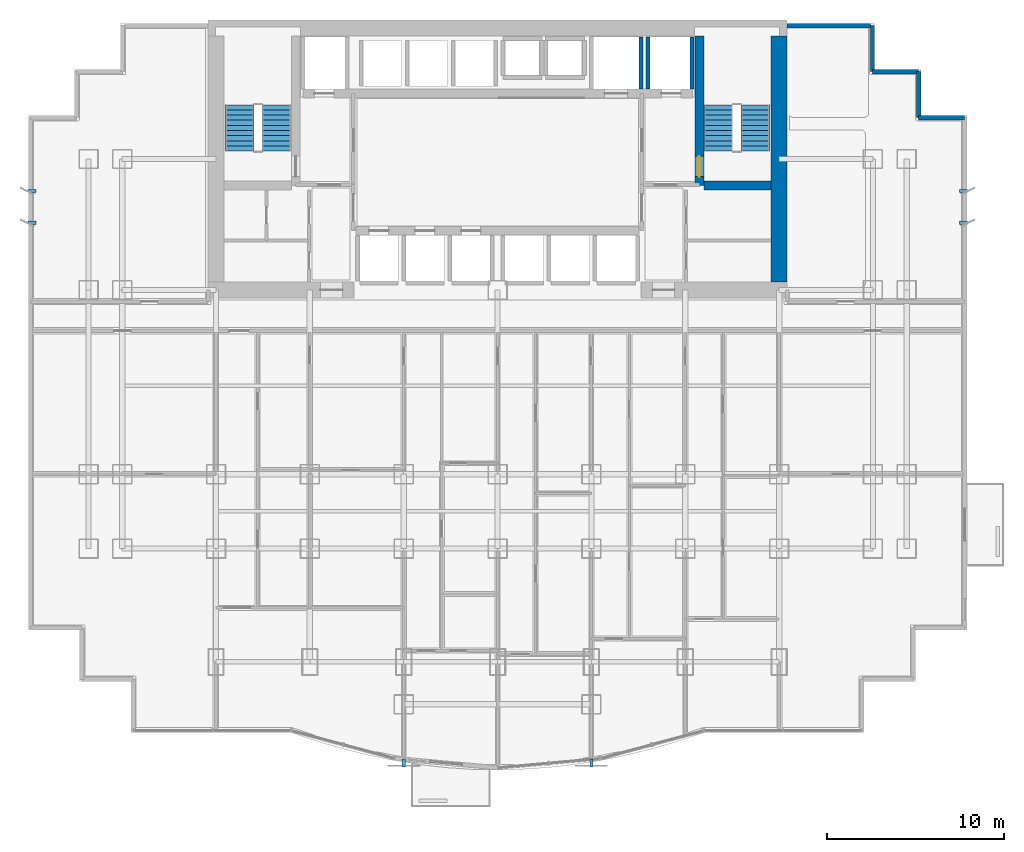
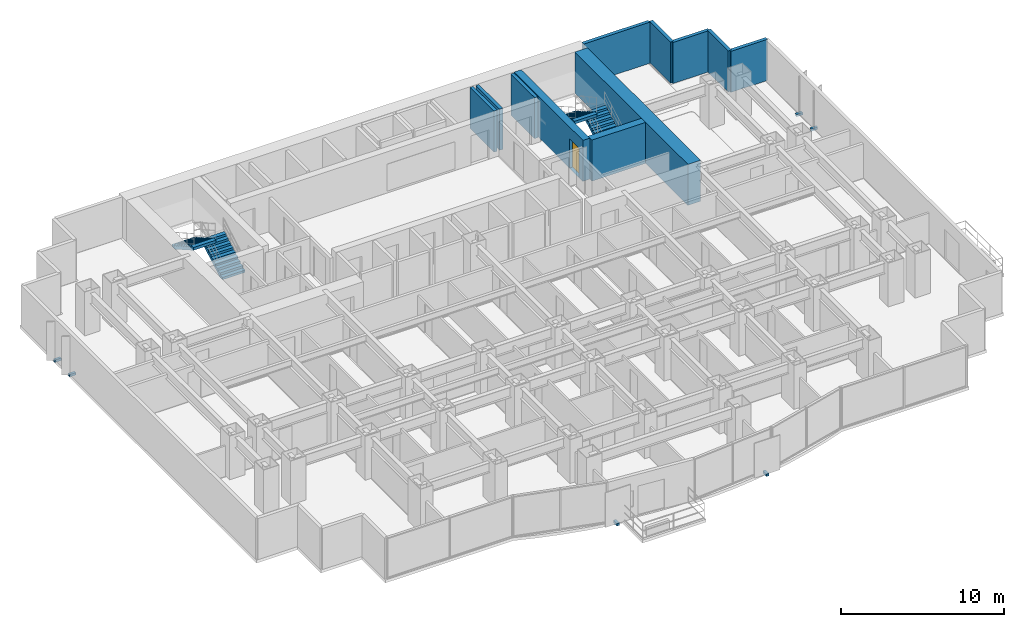
# One storey, part 8 of 10: 11 walls, 6 discrete accessories, 4 stair flights, 1 door, 1 opening, 2 elements without a shape of their own.
"""IFC4 building model written with IfcOpenShell, lengths in metres."""

from ifc_helpers import new_model, si_unit, direction, frame, frame_2d, origin, origin_2d, place, context, subcontext, project, spatial, polyline, rectangle, outline, extrude, source, transform, mapped, material, layer, layer_set, type_object, element, fill, aggregate, save


model = new_model("IFC4")

# Units and contexts
model_context = context("Model", 3, precision=1e-05, world=origin(), true_north=direction((0.0, 1.0)))
body_context = subcontext(model_context, "Body", "Model", "MODEL_VIEW")
ifc_project = project(units=[si_unit("LENGTHUNIT", "METRE"), si_unit("AREAUNIT", "SQUARE_METRE"), si_unit("VOLUMEUNIT", "CUBIC_METRE"), si_unit("PLANEANGLEUNIT", "RADIAN"), si_unit("MASSUNIT", "GRAM", prefix="KILO")], contexts=[model_context])

# Site, building, storey
site_placement = place(None, origin())
site = spatial("IfcSite", under=ifc_project, at=site_placement, CompositionType="ELEMENT")
building_placement = place(site_placement, origin())
building = spatial("IfcBuilding", under=site, at=building_placement, Name="Qianlan Lanfeng Residences", CompositionType="ELEMENT")
storey_placement = place(building_placement, frame((0.0, 0.0, 53.89990234375)))
storey = spatial("IfcBuildingStorey", under=building, at=storey_placement, Name="L14", CompositionType="ELEMENT", Elevation=53.89990234375)

# Wall, opening, door
ifc_material_1 = material(Name="Concrete C70", Category="concrete")
ifc_layer_1 = layer(ifc_material_1, 0.5)
ifc_layer_set_1 = layer_set([ifc_layer_1], Name="Concrete C70")
wall_type_1 = type_object("IfcWallType", Name="CW-RC-500", PredefinedType="SHEAR", material=ifc_layer_set_1)
wall_1_placement = place(storey_placement, frame((37.89990234375, 31.10009765625, 0.0), z_axis=(0.0, 0.0, 1.0), x_axis=(0.0, 1.0, 0.0)))
wall_1 = element("IfcWall", 1, at=wall_1_placement, inside=storey, type_object=wall_type_1, Name="L14 Core Shear Wall ST2W", PredefinedType="SHEAR", context=body_context, shape_type="SweptSolid", body=[
    extrude(rectangle(XDim=8.449951171875, YDim=0.5, at=frame_2d((4.22509765625, 0.0))), origin(), (0.0, 0.0, 1.0), 3.080078125),
])
opening_placement = place(wall_1_placement, frame((0.510009765625, 0.0, 0.0)))
opening = element("IfcOpeningElement", 2, at=opening_placement, cuts=wall_1, Name="Opening L14-D08", PredefinedType="OPENING", context=body_context, shape_type="SweptSolid", body=[
    extrude(rectangle(XDim=1.14990234375, YDim=2.199951171875, at=frame_2d((0.574951171875, 1.10009765625))), frame((0.0, 0.260009765625, 0.0), z_axis=(0.0, -1.0, 0.0), x_axis=(1.0, 0.0, 0.0)), (0.0, 0.0, 1.0), 0.52001953125),
])
ifc_material_2 = material(Name="Painted Galvanised Steel Fire Door", Category="steel")
door_type = type_object("IfcDoorType", Name="DT-ST1", OperationType="NOTDEFINED", PredefinedType="DOOR", material=ifc_material_2)
door_placement = place(opening_placement, origin())
door = element("IfcDoor", 3, at=door_placement, inside=storey, type_object=door_type, Name="L14 Exit Stair ST-2 Door L14-D08 (DT-ST1)", OperationType="SINGLE_SWING_RIGHT", OverallHeight=2.199951171875, OverallWidth=1.14990234375, PredefinedType="DOOR", context=body_context, shape_type="SweptSolid", body=[
    extrude(rectangle(XDim=1.14990234375, YDim=2.199951171875, at=frame_2d((0.574951171875, 1.10009765625))), frame((0.0, 0.02490234375, 0.0), z_axis=(0.0, -1.0, 0.0), x_axis=(1.0, 0.0, 0.0)), (0.0, 0.0, 1.0), 0.050048828125),
])
fill(opening, door)

# Walls
wall_2_placement = place(storey_placement, frame((38.14990234375, 31.10009765625, 0.0), z_axis=(0.0, 0.0, 1.0), x_axis=(1.0, 0.0, 0.0)))
element("IfcWall", 4, at=wall_2_placement, inside=storey, type_object=wall_type_1, Name="L14 Core Shear Wall ST2S", PredefinedType="SHEAR", context=body_context, shape_type="SweptSolid", body=[
    extrude(rectangle(XDim=3.800048828125, YDim=0.5, at=frame_2d((1.89990234375, 0.0))), origin(), (0.0, 0.0, 1.0), 3.080078125),
])
ifc_layer_2 = layer(ifc_material_1, 0.89990234375)
ifc_layer_set_2 = layer_set([ifc_layer_2], Name="Concrete C70")
wall_type_2 = type_object("IfcWallType", Name="CW-RC-900", PredefinedType="SHEAR", material=ifc_layer_set_2)
wall_3_placement = place(storey_placement, frame((42.39990234375, 25.64990234375, 0.0), z_axis=(0.0, 0.0, 1.0), x_axis=(0.0, 1.0, 0.0)))
element("IfcWall", 5, at=wall_3_placement, inside=storey, type_object=wall_type_2, Name="L14 Core Shear Wall E", PredefinedType="SHEAR", context=body_context, shape_type="SweptSolid", body=[
    extrude(rectangle(XDim=13.900146484375, YDim=0.89990234375, at=frame_2d((6.9501953125, 0.0))), origin(), (0.0, 0.0, 1.0), 3.080078125),
])
ifc_material_3 = material(Name="Concrete C42", Category="concrete")
ifc_layer_3 = layer(ifc_material_3, 0.239990234375)
ifc_layer_set_3 = layer_set([ifc_layer_3], Name="Concrete C42")
wall_type_3 = type_object("IfcWallType", Name="EW-240", PredefinedType="SOLIDWALL", material=ifc_layer_set_3)
wall_4_placement = place(storey_placement, frame((52.8798828125, 34.929931640625, 0.0), z_axis=(0.0, 0.0, 1.0), x_axis=(-1.0, 0.0, 0.0)))
element("IfcWall", 6, at=wall_4_placement, inside=storey, type_object=wall_type_3, Name="L14 Exterior Facade Spandrel Wall 11", PredefinedType="SOLIDWALL", context=body_context, shape_type="SweptSolid", body=[
    extrude(rectangle(XDim=2.599853515625, YDim=0.239990234375, at=frame_2d((1.2998046875, 0.0))), origin(), (0.0, 0.0, 1.0), 3.080078125),
])
for number, where, z_axis, x_axis, name in (
    (7, (50.280029296875, 34.929931640625, 0.0), (0.0, 0.0, 1.0), (0.0, 1.0, 0.0), "L14 Exterior Facade Spandrel Wall 12"),
    (8, (50.280029296875, 37.530029296875, 0.0), (0.0, 0.0, 1.0), (-1.0, 0.0, 0.0), "L14 Exterior Facade Spandrel Wall 13"),
):
    element("IfcWall", number, at=place(storey_placement, frame(where, z_axis=z_axis, x_axis=x_axis)), inside=storey, type_object=wall_type_3, Name=name, PredefinedType="SOLIDWALL", context=body_context, shape_type="SweptSolid", body=[
        extrude(rectangle(XDim=2.60009765625, YDim=0.239990234375, at=frame_2d((1.300048828125, 0.0))), origin(), (0.0, 0.0, 1.0), 3.080078125),
    ])
wall_5_placement = place(storey_placement, frame((47.679931640625, 37.530029296875, 0.0), z_axis=(0.0, 0.0, 1.0), x_axis=(0.0, 1.0, 0.0)))
element("IfcWall", 9, at=wall_5_placement, inside=storey, type_object=wall_type_3, Name="L14 Exterior Facade Spandrel Wall 14", PredefinedType="SOLIDWALL", context=body_context, shape_type="SweptSolid", body=[
    extrude(rectangle(XDim=2.599853515625, YDim=0.239990234375, at=frame_2d((1.2998046875, 0.0))), origin(), (0.0, 0.0, 1.0), 3.080078125),
])
wall_6_placement = place(storey_placement, frame((47.550048828125, 40.1298828125, 0.0), z_axis=(0.0, 0.0, 1.0), x_axis=(-1.0, 0.0, 0.0)))
element("IfcWall", 10, at=wall_6_placement, inside=storey, type_object=wall_type_3, Name="L14 North Wing Exterior Wall E", PredefinedType="SOLIDWALL", context=body_context, shape_type="SweptSolid", body=[
    extrude(rectangle(XDim=4.699951171875, YDim=0.239990234375, at=frame_2d((2.35009765625, 0.0))), origin(), (0.0, 0.0, 1.0), 3.080078125),
])
ifc_material_4 = material(Name="Concrete C49", Category="concrete")
ifc_layer_4 = layer(ifc_material_4, 0.219970703125)
ifc_layer_set_4 = layer_set([ifc_layer_4], Name="Concrete C49")
wall_type_4 = type_object("IfcWallType", Name="SHW-220", PredefinedType="SOLIDWALL", material=ifc_layer_set_4)
for number, where, z_axis, x_axis, name in (
    (11, (35.0, 36.550048828125, 0.0), (0.0, 0.0, 1.0), (0.0, 1.0, 0.0), "L14 Lift FFL-2 Shaft Wall W"),
    (12, (37.47998046875, 36.550048828125, 0.0), (0.0, 0.0, 1.0), (0.0, 1.0, 0.0), "L14 Lift FFL-2 Shaft Wall E"),
    (13, (34.60009765625, 36.550048828125, 0.0), (0.0, 0.0, 1.0), (0.0, 1.0, 0.0), "L14 Lift SVL-1 Shaft Wall E"),
):
    element("IfcWall", number, at=place(storey_placement, frame(where, z_axis=z_axis, x_axis=x_axis)), inside=storey, type_object=wall_type_4, Name=name, PredefinedType="SOLIDWALL", context=body_context, shape_type="SweptSolid", body=[
        extrude(rectangle(XDim=2.929931640625, YDim=0.219970703125, at=frame_2d((1.46484375, 0.0))), origin(), (0.0, 0.0, 1.0), 3.080078125),
    ])

# Stair, stair flights
stair_type = type_object("IfcStairType", Name="STR-MAIN", PredefinedType="HALF_TURN_STAIR", material=ifc_material_3)
stair_1_placement = place(storey_placement, origin())
stair_1 = element("IfcStair", 14, at=stair_1_placement, inside=storey, type_object=stair_type, Name="L14 Exit Stair ST-1", PredefinedType="HALF_TURN_STAIR")
stair_flight_type = type_object("IfcStairFlightType", Name="FLT-1720", PredefinedType="STRAIGHT", material=ifc_material_3)
stair_flight_1_placement = place(storey_placement, frame((14.02001953125, 33.050048828125, 0.0), z_axis=(0.0, 0.0, 1.0), x_axis=(0.0, 1.0, 0.0)))
stair_flight_1 = element("IfcStairFlight", 15, at=stair_flight_1_placement, type_object=stair_flight_type, Name="ST-1 flight 1", NumberOfRisers=10, NumberOfTreads=9, PredefinedType="STRAIGHT", RiserHeight=0.165, TreadLength=0.29, context=body_context, shape_type="SweptSolid", body=[
    extrude(outline(polyline([(0.0, 0.0), (0.0, 0.1650390625), (0.2900390625, 0.1650390625), (0.2900390625, 0.330078125), (0.580078125, 0.330078125), (0.580078125, 0.4951171875), (0.8701171875, 0.4951171875), (0.8701171875, 0.659912109375), (1.159912109375, 0.659912109375), (1.159912109375, 0.824951171875), (1.449951171875, 0.824951171875), (1.449951171875, 0.989990234375), (1.739990234375, 0.989990234375), (1.739990234375, 1.155029296875), (2.030029296875, 1.155029296875), (2.030029296875, 1.320068359375), (2.320068359375, 1.320068359375), (2.320068359375, 1.485107421875), (2.610107421875, 1.485107421875), (2.610107421875, 1.64990234375), (2.610107421875, 1.278076171875), (0.36376953125, 0.0), (0.0, 0.0)])), frame((0.0, 0.800048828125, 0.0), z_axis=(0.0, -1.0, 0.0), x_axis=(1.0, 0.0, 0.0)), (0.0, 0.0, 1.0), 1.60009765625),
])
stair_flight_2_placement = place(storey_placement, frame((11.93994140625, 35.659912109375, 1.650146484375), z_axis=(0.0, 0.0, 1.0), x_axis=(0.0, -1.0, 0.0)))
stair_flight_2 = element("IfcStairFlight", 16, at=stair_flight_2_placement, type_object=stair_flight_type, Name="ST-1 flight 2", NumberOfRisers=10, NumberOfTreads=9, PredefinedType="STRAIGHT", RiserHeight=0.165, TreadLength=0.29, context=body_context, shape_type="SweptSolid", body=[
    extrude(outline(polyline([(0.0, 0.0), (0.0, 0.1650390625), (0.2900390625, 0.1650390625), (0.2900390625, 0.330078125), (0.580078125, 0.330078125), (0.580078125, 0.4951171875), (0.8701171875, 0.4951171875), (0.8701171875, 0.659912109375), (1.159912109375, 0.659912109375), (1.159912109375, 0.824951171875), (1.449951171875, 0.824951171875), (1.449951171875, 0.989990234375), (1.739990234375, 0.989990234375), (1.739990234375, 1.155029296875), (2.030029296875, 1.155029296875), (2.030029296875, 1.320068359375), (2.320068359375, 1.320068359375), (2.320068359375, 1.485107421875), (2.610107421875, 1.485107421875), (2.610107421875, 1.64990234375), (2.610107421875, 1.278076171875), (0.36376953125, 0.0), (0.0, 0.0)])), frame((0.0, 0.800048828125, 0.0), z_axis=(0.0, -1.0, 0.0), x_axis=(1.0, 0.0, 0.0)), (0.0, 0.0, 1.0), 1.60009765625),
])
aggregate(stair_1, [stair_flight_1, stair_flight_2])

stair_2_placement = place(storey_placement, origin())
stair_2 = element("IfcStair", 17, at=stair_2_placement, inside=storey, type_object=stair_type, Name="L14 Exit Stair ST-2", PredefinedType="HALF_TURN_STAIR")
stair_flight_3_placement = place(storey_placement, frame((41.06005859375, 33.050048828125, 0.0), z_axis=(0.0, 0.0, 1.0), x_axis=(0.0, 1.0, 0.0)))
stair_flight_3 = element("IfcStairFlight", 18, at=stair_flight_3_placement, type_object=stair_flight_type, Name="ST-2 flight 1", NumberOfRisers=10, NumberOfTreads=9, PredefinedType="STRAIGHT", RiserHeight=0.165, TreadLength=0.29, context=body_context, shape_type="SweptSolid", body=[
    extrude(outline(polyline([(0.0, 0.0), (0.0, 0.1650390625), (0.2900390625, 0.1650390625), (0.2900390625, 0.330078125), (0.580078125, 0.330078125), (0.580078125, 0.4951171875), (0.8701171875, 0.4951171875), (0.8701171875, 0.659912109375), (1.159912109375, 0.659912109375), (1.159912109375, 0.824951171875), (1.449951171875, 0.824951171875), (1.449951171875, 0.989990234375), (1.739990234375, 0.989990234375), (1.739990234375, 1.155029296875), (2.030029296875, 1.155029296875), (2.030029296875, 1.320068359375), (2.320068359375, 1.320068359375), (2.320068359375, 1.485107421875), (2.610107421875, 1.485107421875), (2.610107421875, 1.64990234375), (2.610107421875, 1.278076171875), (0.36376953125, 0.0), (0.0, 0.0)])), frame((0.0, 0.800048828125, 0.0), z_axis=(0.0, -1.0, 0.0), x_axis=(1.0, 0.0, 0.0)), (0.0, 0.0, 1.0), 1.60009765625),
])
stair_flight_4_placement = place(storey_placement, frame((38.97998046875, 35.659912109375, 1.650146484375), z_axis=(0.0, 0.0, 1.0), x_axis=(0.0, -1.0, 0.0)))
stair_flight_4 = element("IfcStairFlight", 19, at=stair_flight_4_placement, type_object=stair_flight_type, Name="ST-2 flight 2", NumberOfRisers=10, NumberOfTreads=9, PredefinedType="STRAIGHT", RiserHeight=0.165, TreadLength=0.29, context=body_context, shape_type="SweptSolid", body=[
    extrude(outline(polyline([(0.0, 0.0), (0.0, 0.1650390625), (0.2900390625, 0.1650390625), (0.2900390625, 0.330078125), (0.580078125, 0.330078125), (0.580078125, 0.4951171875), (0.8701171875, 0.4951171875), (0.8701171875, 0.659912109375), (1.159912109375, 0.659912109375), (1.159912109375, 0.824951171875), (1.449951171875, 0.824951171875), (1.449951171875, 0.989990234375), (1.739990234375, 0.989990234375), (1.739990234375, 1.155029296875), (2.030029296875, 1.155029296875), (2.030029296875, 1.320068359375), (2.320068359375, 1.320068359375), (2.320068359375, 1.485107421875), (2.610107421875, 1.485107421875), (2.610107421875, 1.64990234375), (2.610107421875, 1.278076171875), (0.36376953125, 0.0), (0.0, 0.0)])), frame((0.0, 0.800048828125, 0.0), z_axis=(0.0, -1.0, 0.0), x_axis=(1.0, 0.0, 0.0)), (0.0, 0.0, 1.0), 1.60009765625),
])
aggregate(stair_2, [stair_flight_3, stair_flight_4])

# Discrete accessories
ifc_material_5 = material(Name="Stainless Steel Facade Bracket", Category="steel")
discrete_accessory_type = type_object("IfcDiscreteAccessoryType", Name="BRK-SS-350", PredefinedType="BRACKET", material=ifc_material_5)
shared_shape_1 = source(origin(), body_context, "Body", "SweptSolid", [
    extrude(rectangle(XDim=0.179931640625, YDim=0.449951171875, at=origin_2d()), origin(), (0.0, 0.0, 1.0), 0.179931640625),
])
for number, where, z_axis, x_axis, name in (
    (20, (21.199951171875, -1.5, -0.14990234375), (0.0, 0.0, 1.0), (1.0, 0.0, 0.0), "L14 Solar Screen Support Bracket 1"),
    (21, (31.800048828125, -1.5, -0.14990234375), (0.0, 0.0, 1.0), (1.0, 0.0, 0.0), "L14 Solar Screen Support Bracket 2"),
):
    element("IfcDiscreteAccessory", number, at=place(storey_placement, frame(where, z_axis=z_axis, x_axis=x_axis)), inside=storey, type_object=discrete_accessory_type, Name=name, PredefinedType="BRACKET", context=body_context, shape_type="MappedRepresentation", body=[
        mapped(shared_shape_1, transform((0.0, 0.0, 0.0), scale=1.0)),
    ])
shared_shape_2 = source(origin(), body_context, "Body", "SweptSolid", [
    extrude(rectangle(XDim=0.449951171875, YDim=0.179931640625, at=origin_2d()), origin(), (0.0, 0.0, 1.0), 0.179931640625),
])
for number, where, z_axis, x_axis, name in (
    (22, (0.199951171875, 29.0, -0.14990234375), (0.0, 0.0, 1.0), (1.0, 0.0, 0.0), "L14 Raked Solar Fin Support Bracket W1"),
    (23, (0.199951171875, 30.800048828125, -0.14990234375), (0.0, 0.0, 1.0), (1.0, 0.0, 0.0), "L14 Raked Solar Fin Support Bracket W2"),
    (24, (52.800048828125, 29.0, -0.14990234375), (0.0, 0.0, 1.0), (1.0, 0.0, 0.0), "L14 Raked Solar Fin Support Bracket E1"),
    (25, (52.800048828125, 30.800048828125, -0.14990234375), (0.0, 0.0, 1.0), (1.0, 0.0, 0.0), "L14 Raked Solar Fin Support Bracket E2"),
):
    element("IfcDiscreteAccessory", number, at=place(storey_placement, frame(where, z_axis=z_axis, x_axis=x_axis)), inside=storey, type_object=discrete_accessory_type, Name=name, PredefinedType="BRACKET", context=body_context, shape_type="MappedRepresentation", body=[
        mapped(shared_shape_2, transform((0.0, 0.0, 0.0), scale=1.0)),
    ])

save(model, "model.ifc")
